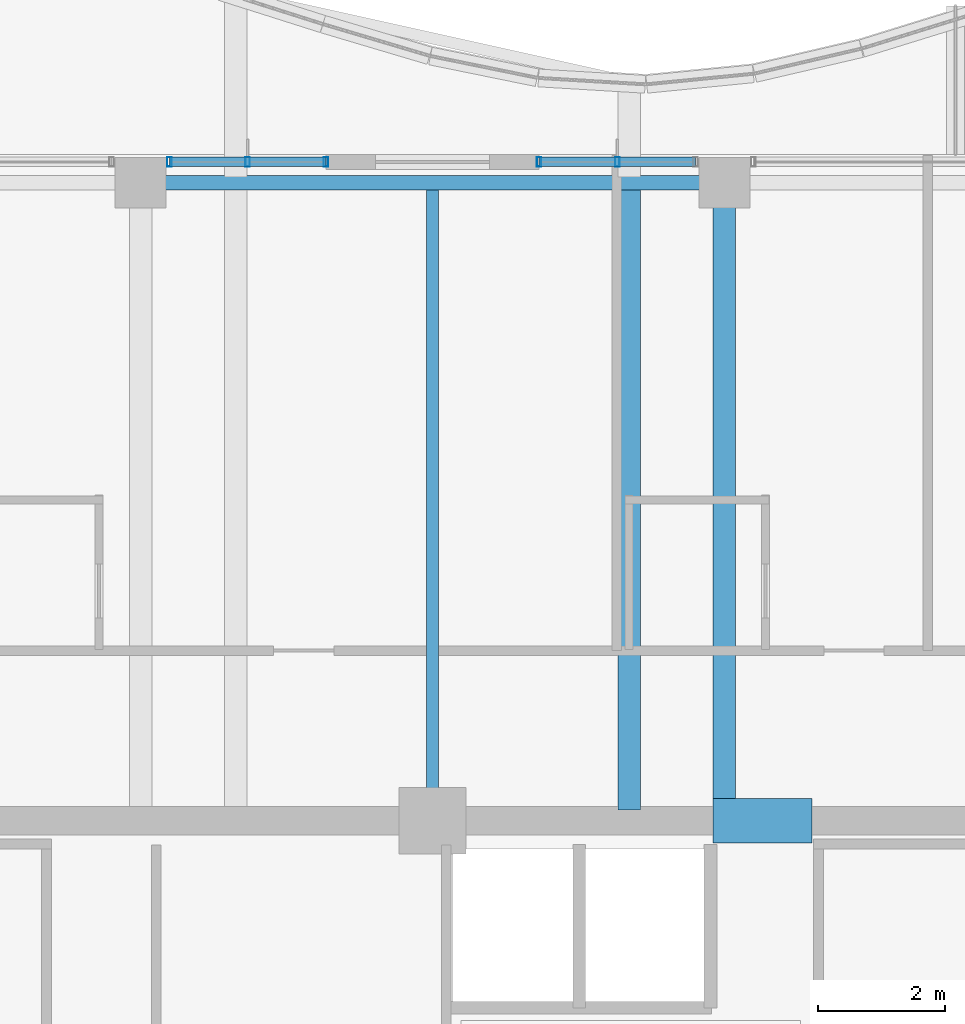
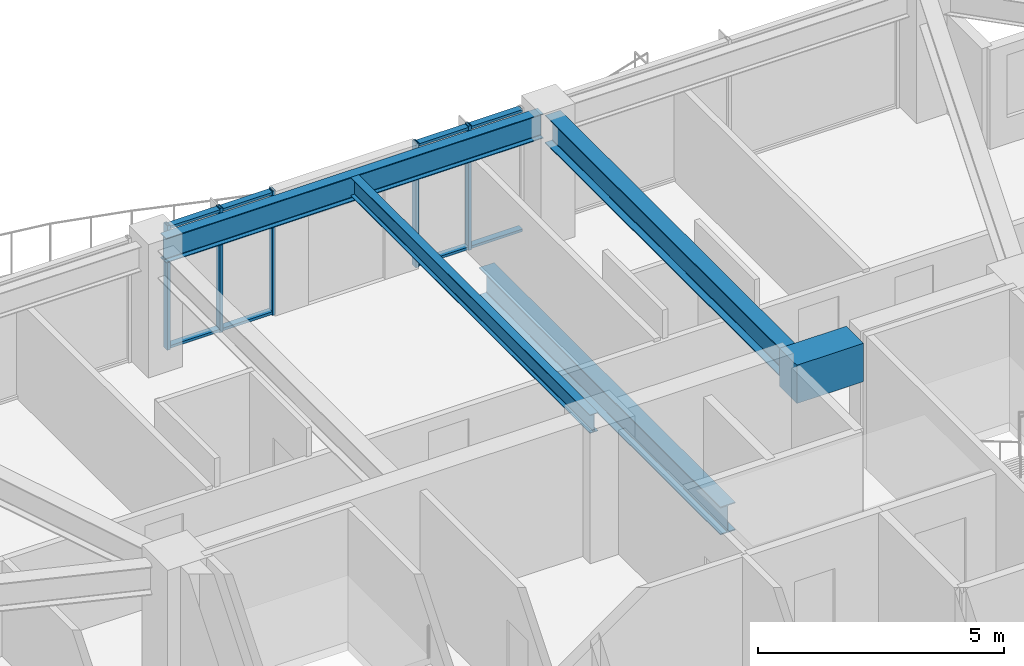
# One storey, part 17 of 36: 9 members, 5 beams, 2 elements without a shape of their own.
"""IFC4 building model written with IfcOpenShell, lengths in metres."""

from ifc_helpers import new_model, si_unit, direction, frame, origin, origin_2d, place, context, subcontext, project, spatial, rectangle, hollow_rectangle, i_section, extrude, material, material_profile, profile_set, type_object, element, aggregate, save


model = new_model("IFC4")

# Units and contexts
model_context = context("Model", 3, precision=1e-05, world=origin(), true_north=direction((0.0, 1.0)))
body_context = subcontext(model_context, "Body", "Model", "MODEL_VIEW")
ifc_project = project(units=[si_unit("LENGTHUNIT", "METRE"), si_unit("AREAUNIT", "SQUARE_METRE"), si_unit("VOLUMEUNIT", "CUBIC_METRE"), si_unit("PLANEANGLEUNIT", "RADIAN"), si_unit("MASSUNIT", "GRAM", prefix="KILO")], contexts=[model_context])

# Site, building, storey
site_placement = place(None, origin())
site = spatial("IfcSite", under=ifc_project, at=site_placement, CompositionType="ELEMENT")
building_placement = place(site_placement, origin())
building = spatial("IfcBuilding", under=site, at=building_placement, Name="Kolvaren Belvedere", CompositionType="ELEMENT")
storey_placement = place(building_placement, frame((0.0, 0.0, 226.199951171875)))
storey = spatial("IfcBuildingStorey", under=building, at=storey_placement, Name="L66", CompositionType="ELEMENT", Elevation=226.199951171875)

# Beams
ifc_material_1 = material(Name="Structural steel ASTM A992 Grade 50", Category="steel")
ifc_material_profile_1 = material_profile(ifc_material_1, i_section(OverallWidth=0.35498046875, OverallDepth=0.696044921875, WebThickness=0.015380859375, FlangeThickness=0.02490234375, FilletRadius=0.02197265625, at=origin_2d()), Name="W27X146")
ifc_profile_set_1 = profile_set([ifc_material_profile_1], Name="Structural steel ASTM A992 Grade 50")
beam_type_1 = type_object("IfcBeamType", Name="BM-GIRD-W27X146", PredefinedType="BEAM", material=ifc_profile_set_1)
beam_1_placement = place(storey_placement, frame((3.10009765625, 10.06494140625, -0.56787109375), z_axis=(0.0, 1.0, 0.0), x_axis=(-1.0, 0.0, 0.0)))
element("IfcBeam", 1, at=beam_1_placement, inside=storey, type_object=beam_type_1, Name="L66 Balcony Interior Back-Span Girder BAL-N-2", PredefinedType="BEAM", context=body_context, shape_type="SweptSolid", body=[
    extrude(i_section(OverallWidth=0.35498046875, OverallDepth=0.696044921875, WebThickness=0.015380859375, FlangeThickness=0.02490234375, FilletRadius=0.02197265625, at=origin_2d()), origin(), (0.0, 0.0, 1.0), 9.7900390625),
])
beam_2_placement = place(storey_placement, frame((4.60009765625, 10.125, 2.73193359375), z_axis=(0.0, 1.0, 0.0), x_axis=(-1.0, 0.0, 0.0)))
element("IfcBeam", 2, at=beam_2_placement, inside=storey, type_object=beam_type_1, Name="L66 North Radial Girder P", PredefinedType="BEAM", context=body_context, shape_type="SweptSolid", body=[
    extrude(i_section(OverallWidth=0.35498046875, OverallDepth=0.696044921875, WebThickness=0.015380859375, FlangeThickness=0.02490234375, FilletRadius=0.02197265625, at=origin_2d()), origin(), (0.0, 0.0, 1.0), 9.64501953125),
])
ifc_material_2 = material(Name="Structural steel ASTM A992 Grade 50", Category="steel")
ifc_material_profile_2 = material_profile(ifc_material_2, i_section(OverallWidth=0.19091796875, OverallDepth=0.4599609375, WebThickness=0.010009765625, FlangeThickness=0.01611328125, FilletRadius=0.014892578125, at=origin_2d()), Name="W18X55")
ifc_profile_set_2 = profile_set([ifc_material_profile_2], Name="Structural steel ASTM A992 Grade 50")
beam_type_2 = type_object("IfcBeamType", Name="BM-JOIST-W18X55", PredefinedType="BEAM", material=ifc_profile_set_2)
beam_3_placement = place(storey_placement, frame((0.0, 10.125, 2.85009765625), z_axis=(0.0, 1.0, 0.0), x_axis=(-1.0, 0.0, 0.0)))
element("IfcBeam", 3, at=beam_3_placement, inside=storey, type_object=beam_type_2, Name="L66 North Centre Floor Beam", PredefinedType="BEAM", context=body_context, shape_type="SweptSolid", body=[
    extrude(i_section(OverallWidth=0.19091796875, OverallDepth=0.4599609375, WebThickness=0.010009765625, FlangeThickness=0.01611328125, FilletRadius=0.014892578125, at=origin_2d()), origin(), (0.0, 0.0, 1.0), 9.71044921875),
])
ifc_material_3 = material(Name="Concrete C60/75", Category="concrete")
ifc_material_profile_3 = material_profile(ifc_material_3, rectangle(XDim=0.699951171875, YDim=0.949951171875, at=origin_2d()), Name="RC 700X950")
ifc_profile_set_3 = profile_set([ifc_material_profile_3], Name="Concrete C60/75")
beam_type_3 = type_object("IfcBeamType", Name="BM-LINT-950", PredefinedType="LINTEL", material=ifc_profile_set_3)
beam_4_placement = place(storey_placement, frame((4.419921875, 9.89990234375, 2.60498046875), z_axis=(1.0, 0.0, 0.0), x_axis=(0.0, 1.0, 0.0)))
element("IfcBeam", 4, at=beam_4_placement, inside=storey, type_object=beam_type_3, Name="L66 North Core Coupling Lintel", PredefinedType="LINTEL", context=body_context, shape_type="SweptSolid", body=[
    extrude(rectangle(XDim=0.699951171875, YDim=0.949951171875, at=origin_2d()), origin(), (0.0, 0.0, 1.0), 1.56005859375),
])
ifc_material_4 = material(Name="Structural steel ASTM A992 Grade 50", Category="steel")
ifc_material_profile_4 = material_profile(ifc_material_4, i_section(OverallWidth=0.22900390625, OverallDepth=0.612060546875, WebThickness=0.011962890625, FlangeThickness=0.01953125, FilletRadius=0.01806640625, at=origin_2d()), Name="W24X84")
ifc_profile_set_4 = profile_set([ifc_material_profile_4], Name="Structural steel ASTM A992 Grade 50")
beam_type_4 = type_object("IfcBeamType", Name="BM-SPAN-W24X84", PredefinedType="SPANDREL", material=ifc_profile_set_4)
beam_5_placement = place(storey_placement, frame((4.419921875, 19.949951171875, 2.774169921875), z_axis=(-1.0, 0.0, 0.0), x_axis=(0.0, -1.0, 0.0)))
element("IfcBeam", 5, at=beam_5_placement, inside=storey, type_object=beam_type_4, Name="L66 Perimeter Spandrel N3-N2", PredefinedType="SPANDREL", context=body_context, shape_type="SweptSolid", body=[
    extrude(i_section(OverallWidth=0.22900390625, OverallDepth=0.612060546875, WebThickness=0.011962890625, FlangeThickness=0.01953125, FilletRadius=0.01806640625, at=origin_2d()), origin(), (0.0, 0.0, 1.0), 8.83984375),
])

# Curtain wall, members
ifc_material_5 = material(Name="Anodised pale-metal aluminium AA 6063-T6", Category="aluminium")
curtain_wall_type = type_object("IfcCurtainWallType", Name="CW-Z5-HIGH", PredefinedType="NOTDEFINED", material=ifc_material_5)
curtain_wall_1_placement = place(storey_placement, origin())
curtain_wall_1 = element("IfcCurtainWall", 6, at=curtain_wall_1_placement, inside=storey, type_object=curtain_wall_type, Name="L66 Unitised Curtain Wall FCW-L66-N1-B2", PredefinedType="NOTDEFINED")
ifc_material_6 = material(Name="Anodised pale-metal aluminium AA 6063-T6", Category="aluminium")
ifc_material_profile_5 = material_profile(ifc_material_6, hollow_rectangle(XDim=0.070068359375, YDim=0.14990234375, WallThickness=0.004150390625, at=origin_2d()), Name="ALU-MUL-150X70")
ifc_profile_set_5 = profile_set([ifc_material_profile_5], Name="Anodised pale-metal aluminium AA 6063-T6")
member_type_1 = type_object("IfcMemberType", Name="CW-MUL-150", PredefinedType="MULLION", material=ifc_profile_set_5)
member_1_placement = place(storey_placement, frame((-4.14501953125, 20.280029296875, 0.0), z_axis=(0.0, 0.0, 1.0), x_axis=(1.0, 0.0, 0.0)))
member_1 = element("IfcMember", 7, at=member_1_placement, type_object=member_type_1, Name="FCW-L66-N1-B2 Unitised Mullion 1", PredefinedType="MULLION", context=body_context, shape_type="SweptSolid", body=[
    extrude(hollow_rectangle(XDim=0.070068359375, YDim=0.14990234375, WallThickness=0.004150390625, at=origin_2d()), origin(), (0.0, 0.0, 1.0), 3.080078125),
])
member_2_placement = place(storey_placement, frame((-2.91259765625, 20.280029296875, 0.0), z_axis=(0.0, 0.0, 1.0), x_axis=(1.0, 0.0, 0.0)))
member_2 = element("IfcMember", 8, at=member_2_placement, type_object=member_type_1, Name="FCW-L66-N1-B2 Unitised Mullion 2", PredefinedType="MULLION", context=body_context, shape_type="SweptSolid", body=[
    extrude(hollow_rectangle(XDim=0.070068359375, YDim=0.14990234375, WallThickness=0.004150390625, at=origin_2d()), origin(), (0.0, 0.0, 1.0), 3.080078125),
])
member_3_placement = place(storey_placement, frame((-1.679931640625, 20.280029296875, 0.0), z_axis=(0.0, 0.0, 1.0), x_axis=(1.0, 0.0, 0.0)))
member_3 = element("IfcMember", 9, at=member_3_placement, type_object=member_type_1, Name="FCW-L66-N1-B2 Unitised Mullion 3", PredefinedType="MULLION", context=body_context, shape_type="SweptSolid", body=[
    extrude(hollow_rectangle(XDim=0.070068359375, YDim=0.14990234375, WallThickness=0.004150390625, at=origin_2d()), origin(), (0.0, 0.0, 1.0), 3.080078125),
])

curtain_wall_2_placement = place(storey_placement, origin())
curtain_wall_2 = element("IfcCurtainWall", 10, at=curtain_wall_2_placement, inside=storey, type_object=curtain_wall_type, Name="L66 Unitised Curtain Wall FCW-L66-N2-B1", PredefinedType="NOTDEFINED")
member_4_placement = place(storey_placement, frame((1.679931640625, 20.280029296875, 0.0), z_axis=(0.0, 0.0, 1.0), x_axis=(1.0, 0.0, 0.0)))
member_4 = element("IfcMember", 11, at=member_4_placement, type_object=member_type_1, Name="FCW-L66-N2-B1 Unitised Mullion 1", PredefinedType="MULLION", context=body_context, shape_type="SweptSolid", body=[
    extrude(hollow_rectangle(XDim=0.070068359375, YDim=0.14990234375, WallThickness=0.004150390625, at=origin_2d()), origin(), (0.0, 0.0, 1.0), 3.080078125),
])
member_5_placement = place(storey_placement, frame((2.91259765625, 20.280029296875, 0.0), z_axis=(0.0, 0.0, 1.0), x_axis=(1.0, 0.0, 0.0)))
member_5 = element("IfcMember", 12, at=member_5_placement, type_object=member_type_1, Name="FCW-L66-N2-B1 Unitised Mullion 2", PredefinedType="MULLION", context=body_context, shape_type="SweptSolid", body=[
    extrude(hollow_rectangle(XDim=0.070068359375, YDim=0.14990234375, WallThickness=0.004150390625, at=origin_2d()), origin(), (0.0, 0.0, 1.0), 3.080078125),
])

# Member
ifc_material_7 = material(Name="Anodised pale-metal aluminium AA 6063-T6", Category="aluminium")
ifc_material_profile_6 = material_profile(ifc_material_7, hollow_rectangle(XDim=0.06494140625, YDim=0.14990234375, WallThickness=0.00390625, at=origin_2d()), Name="ALU-TRN-150X65")
ifc_profile_set_6 = profile_set([ifc_material_profile_6], Name="Anodised pale-metal aluminium AA 6063-T6")
member_type_2 = type_object("IfcMemberType", Name="CW-TRN-150", PredefinedType="USERDEFINED", material=ifc_profile_set_6)
member_6_placement = place(storey_placement, frame((-4.14501953125, 20.280029296875, 0.06005859375), z_axis=(1.0, 0.0, 0.0), x_axis=(0.0, 0.0, 1.0)))
member_6 = element("IfcMember", 13, at=member_6_placement, type_object=member_type_2, Name="FCW-L66-N1-B2 Sill Transom", ObjectType="TRANSOM", PredefinedType="USERDEFINED", context=body_context, shape_type="SweptSolid", body=[
    extrude(hollow_rectangle(XDim=0.06494140625, YDim=0.14990234375, WallThickness=0.00390625, at=origin_2d()), origin(), (0.0, 0.0, 1.0), 2.465087890625),
])

member_7_placement = place(storey_placement, frame((-4.14501953125, 20.280029296875, 3.02001953125), z_axis=(1.0, 0.0, 0.0), x_axis=(0.0, 0.0, 1.0)))
member_7 = element("IfcMember", 14, at=member_7_placement, type_object=member_type_2, Name="FCW-L66-N1-B2 Head Transom", ObjectType="TRANSOM", PredefinedType="USERDEFINED", context=body_context, shape_type="SweptSolid", body=[
    extrude(hollow_rectangle(XDim=0.06494140625, YDim=0.14990234375, WallThickness=0.00390625, at=origin_2d()), origin(), (0.0, 0.0, 1.0), 2.465087890625),
])

aggregate(curtain_wall_1, [member_1, member_2, member_3, member_6, member_7])

member_8_placement = place(storey_placement, frame((1.679931640625, 20.280029296875, 0.06005859375), z_axis=(1.0, 0.0, 0.0), x_axis=(0.0, 0.0, 1.0)))
member_8 = element("IfcMember", 15, at=member_8_placement, type_object=member_type_2, Name="FCW-L66-N2-B1 Sill Transom", ObjectType="TRANSOM", PredefinedType="USERDEFINED", context=body_context, shape_type="SweptSolid", body=[
    extrude(hollow_rectangle(XDim=0.06494140625, YDim=0.14990234375, WallThickness=0.00390625, at=origin_2d()), origin(), (0.0, 0.0, 1.0), 2.465087890625),
])

member_9_placement = place(storey_placement, frame((1.679931640625, 20.280029296875, 3.02001953125), z_axis=(1.0, 0.0, 0.0), x_axis=(0.0, 0.0, 1.0)))
member_9 = element("IfcMember", 16, at=member_9_placement, type_object=member_type_2, Name="FCW-L66-N2-B1 Head Transom", ObjectType="TRANSOM", PredefinedType="USERDEFINED", context=body_context, shape_type="SweptSolid", body=[
    extrude(hollow_rectangle(XDim=0.06494140625, YDim=0.14990234375, WallThickness=0.00390625, at=origin_2d()), origin(), (0.0, 0.0, 1.0), 2.465087890625),
])

aggregate(curtain_wall_2, [member_4, member_5, member_8, member_9])

save(model, "model.ifc")
